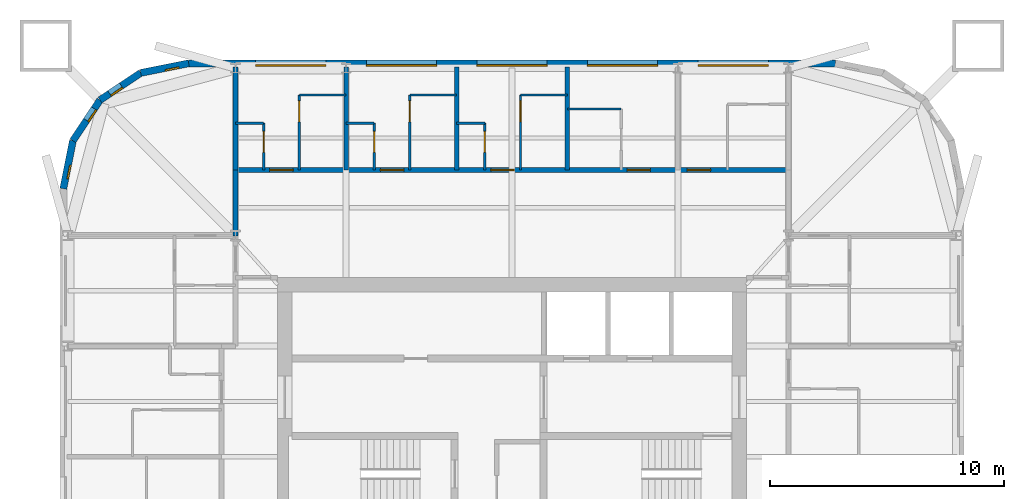
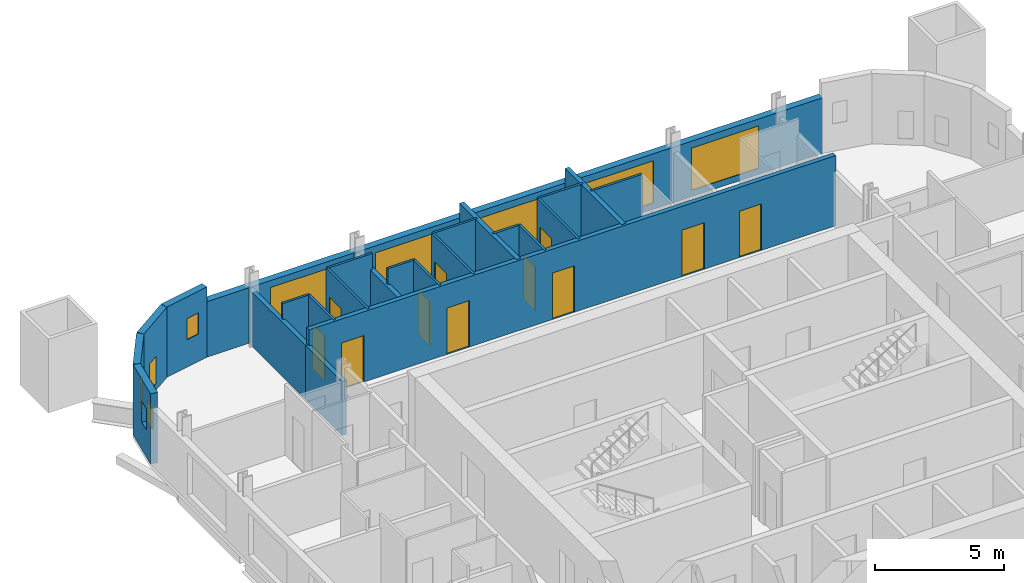
# One storey, part 7 of 9: 24 walls, 11 doors, 9 windows, 20 openings.
"""IFC4 building model written with IfcOpenShell, lengths in metres."""

from ifc_helpers import new_model, si_unit, direction, frame, frame_2d, origin, place, context, subcontext, project, spatial, rectangle, extrude, material, layer, layer_set, type_object, element, fill, save


model = new_model("IFC4")

# Units and contexts
model_context = context("Model", 3, precision=1e-05, world=origin(), true_north=direction((0.0, 1.0)))
body_context = subcontext(model_context, "Body", "Model", "MODEL_VIEW")
ifc_project = project(units=[si_unit("LENGTHUNIT", "METRE"), si_unit("AREAUNIT", "SQUARE_METRE"), si_unit("VOLUMEUNIT", "CUBIC_METRE"), si_unit("PLANEANGLEUNIT", "RADIAN"), si_unit("MASSUNIT", "GRAM", prefix="KILO")], contexts=[model_context])

# Site, building, storey
site_placement = place(None, origin())
site = spatial("IfcSite", under=ifc_project, at=site_placement, CompositionType="ELEMENT")
building_placement = place(site_placement, origin())
building = spatial("IfcBuilding", under=site, at=building_placement, Name="Turquesa Mirador Hotel Tower", CompositionType="ELEMENT")
storey_placement = place(building_placement, frame((0.0, 0.0, 214.300048828125)))
storey = spatial("IfcBuildingStorey", under=building, at=storey_placement, Name="L58", CompositionType="ELEMENT", Elevation=214.300048828125)

# Walls
ifc_material_1 = material(Name="Gypsum board on steel studs", Category="steel")
ifc_layer_1 = layer(ifc_material_1, 0.10009765625)
ifc_layer_set_1 = layer_set([ifc_layer_1], Name="BATHROOM WALL 100")
wall_type_1 = type_object("IfcWallType", Name="BATHROOM WALL 100", PredefinedType="PARTITIONING", material=ifc_layer_set_1)
wall_1_placement = place(storey_placement, frame((43.199951171875, 61.60009765625, 0.0), z_axis=(0.0, 0.0, 1.0), x_axis=(1.0, 0.0, 0.0)))
element("IfcWall", 1, at=wall_1_placement, inside=storey, type_object=wall_type_1, Name="Partition L58 033", PredefinedType="PARTITIONING", context=body_context, shape_type="SweptSolid", body=[
    extrude(rectangle(XDim=1.199951171875, YDim=0.10009765625, at=frame_2d((0.60009765625, 0.0))), origin(), (0.0, 0.0, 1.0), 3.329833984375),
])
for number, where, z_axis, x_axis, name in (
    (2, (47.919921875, 61.60009765625, 0.0), (0.0, 0.0, 1.0), (1.0, 0.0, 0.0), "Partition L58 034"),
    (3, (52.639892578125, 61.60009765625, 0.0), (0.0, 0.0, 1.0), (1.0, 0.0, 0.0), "Partition L58 035"),
):
    element("IfcWall", number, at=place(storey_placement, frame(where, z_axis=z_axis, x_axis=x_axis)), inside=storey, type_object=wall_type_1, Name=name, PredefinedType="PARTITIONING", context=body_context, shape_type="SweptSolid", body=[
        extrude(rectangle(XDim=1.2001953125, YDim=0.10009765625, at=frame_2d((0.60009765625, 0.0))), origin(), (0.0, 0.0, 1.0), 3.329833984375),
    ])
wall_2_placement = place(storey_placement, frame((57.360107421875, 62.199951171875, 0.0), z_axis=(0.0, 0.0, 1.0), x_axis=(1.0, 0.0, 0.0)))
element("IfcWall", 4, at=wall_2_placement, inside=storey, type_object=wall_type_1, Name="Partition L58 036", PredefinedType="PARTITIONING", context=body_context, shape_type="SweptSolid", body=[
    extrude(rectangle(XDim=2.2998046875, YDim=0.10009765625, at=frame_2d((1.14990234375, 0.0))), origin(), (0.0, 0.0, 1.0), 3.329833984375),
])
for number, where, z_axis, x_axis, name in (
    (5, (45.919921875, 62.800048828125, 0.0), (0.0, 0.0, 1.0), (1.0, 0.0, 0.0), "Partition L58 038"),
    (6, (50.639892578125, 62.800048828125, 0.0), (0.0, 0.0, 1.0), (1.0, 0.0, 0.0), "Partition L58 039"),
    (7, (55.360107421875, 62.800048828125, 0.0), (0.0, 0.0, 1.0), (1.0, 0.0, 0.0), "Partition L58 040"),
):
    element("IfcWall", number, at=place(storey_placement, frame(where, z_axis=z_axis, x_axis=x_axis)), inside=storey, type_object=wall_type_1, Name=name, PredefinedType="PARTITIONING", context=body_context, shape_type="SweptSolid", body=[
        extrude(rectangle(XDim=2.0, YDim=0.10009765625, at=frame_2d((1.0, 0.0))), origin(), (0.0, 0.0, 1.0), 3.329833984375),
    ])

# Wall, opening, door
wall_3_placement = place(storey_placement, frame((53.840087890625, 59.60009765625, 0.0), z_axis=(0.0, 0.0, 1.0), x_axis=(0.0, 1.0, 0.0)))
wall_3 = element("IfcWall", 8, at=wall_3_placement, inside=storey, type_object=wall_type_1, Name="Partition L58 054", PredefinedType="PARTITIONING", context=body_context, shape_type="SweptSolid", body=[
    extrude(rectangle(XDim=2.0, YDim=0.10009765625, at=frame_2d((1.0, 0.0))), origin(), (0.0, 0.0, 1.0), 3.329833984375),
])
opening_1_placement = place(wall_3_placement, frame((0.75, 0.0, 0.0)))
opening_1 = element("IfcOpeningElement", 9, at=opening_1_placement, cuts=wall_3, Name="Opening D06", PredefinedType="OPENING", context=body_context, shape_type="SweptSolid", body=[
    extrude(rectangle(XDim=0.89990234375, YDim=2.10009765625, at=frame_2d((0.449951171875, 1.050048828125))), frame((0.0, 0.06005859375, 0.0), z_axis=(0.0, -1.0, 0.0), x_axis=(1.0, 0.0, 0.0)), (0.0, 0.0, 1.0), 0.1201171875),
])
ifc_material_2 = material(Name="Laminate door", Category="wood")
door_type_1 = type_object("IfcDoorType", Name="DOOR 900X2100 WC", OperationType="SINGLE_SWING_LEFT", PredefinedType="DOOR", material=ifc_material_2)
door_1_placement = place(opening_1_placement, origin())
door_1 = element("IfcDoor", 10, at=door_1_placement, inside=storey, type_object=door_type_1, Name="Door 5803W", OperationType="SINGLE_SWING_LEFT", OverallHeight=2.10009765625, OverallWidth=0.89990234375, PredefinedType="DOOR", context=body_context, shape_type="SweptSolid", body=[
    extrude(rectangle(XDim=0.89990234375, YDim=2.10009765625, at=frame_2d((0.449951171875, 1.050048828125))), frame((0.0, 0.02490234375, 0.0), z_axis=(0.0, -1.0, 0.0), x_axis=(1.0, 0.0, 0.0)), (0.0, 0.0, 1.0), 0.050048828125),
])
fill(opening_1, door_1)

wall_4_placement = place(storey_placement, frame((44.39990234375, 59.60009765625, 0.0), z_axis=(0.0, 0.0, 1.0), x_axis=(0.0, 1.0, 0.0)))
wall_4 = element("IfcWall", 11, at=wall_4_placement, inside=storey, type_object=wall_type_1, Name="Partition L58 055", PredefinedType="PARTITIONING", context=body_context, shape_type="SweptSolid", body=[
    extrude(rectangle(XDim=2.0, YDim=0.10009765625, at=frame_2d((1.0, 0.0))), origin(), (0.0, 0.0, 1.0), 3.329833984375),
])
opening_2_placement = place(wall_4_placement, frame((0.75, 0.0, 0.0)))
opening_2 = element("IfcOpeningElement", 12, at=opening_2_placement, cuts=wall_4, Name="Opening D06", PredefinedType="OPENING", context=body_context, shape_type="SweptSolid", body=[
    extrude(rectangle(XDim=0.89990234375, YDim=2.10009765625, at=frame_2d((0.449951171875, 1.050048828125))), frame((0.0, 0.06005859375, 0.0), z_axis=(0.0, -1.0, 0.0), x_axis=(1.0, 0.0, 0.0)), (0.0, 0.0, 1.0), 0.1201171875),
])
door_2_placement = place(opening_2_placement, origin())
door_2 = element("IfcDoor", 13, at=door_2_placement, inside=storey, type_object=door_type_1, Name="Door 5801W", OperationType="SINGLE_SWING_LEFT", OverallHeight=2.10009765625, OverallWidth=0.89990234375, PredefinedType="DOOR", context=body_context, shape_type="SweptSolid", body=[
    extrude(rectangle(XDim=0.89990234375, YDim=2.10009765625, at=frame_2d((0.449951171875, 1.050048828125))), frame((0.0, 0.02490234375, 0.0), z_axis=(0.0, -1.0, 0.0), x_axis=(1.0, 0.0, 0.0)), (0.0, 0.0, 1.0), 0.050048828125),
])
fill(opening_2, door_2)

wall_5_placement = place(storey_placement, frame((50.639892578125, 59.60009765625, 0.0), z_axis=(0.0, 0.0, 1.0), x_axis=(0.0, 1.0, 0.0)))
wall_5 = element("IfcWall", 14, at=wall_5_placement, inside=storey, type_object=wall_type_1, Name="Partition L58 073", PredefinedType="PARTITIONING", context=body_context, shape_type="SweptSolid", body=[
    extrude(rectangle(XDim=3.199951171875, YDim=0.10009765625, at=frame_2d((1.60009765625, 0.0))), origin(), (0.0, 0.0, 1.0), 3.329833984375),
])
opening_3_placement = place(wall_5_placement, frame((2.050048828125, 0.0, 0.0)))
opening_3 = element("IfcOpeningElement", 15, at=opening_3_placement, cuts=wall_5, Name="Opening D02", PredefinedType="OPENING", context=body_context, shape_type="SweptSolid", body=[
    extrude(rectangle(XDim=0.89990234375, YDim=2.10009765625, at=frame_2d((0.449951171875, 1.050048828125))), frame((0.0, 0.06005859375, 0.0), z_axis=(0.0, -1.0, 0.0), x_axis=(1.0, 0.0, 0.0)), (0.0, 0.0, 1.0), 0.1201171875),
])
ifc_material_3 = material(Name="Timber veneered door", Category="wood")
door_type_2 = type_object("IfcDoorType", Name="DOOR 900X2100 EN-SUITE", OperationType="SINGLE_SWING_RIGHT", PredefinedType="DOOR", material=ifc_material_3)
door_3_placement = place(opening_3_placement, origin())
door_3 = element("IfcDoor", 16, at=door_3_placement, inside=storey, type_object=door_type_2, Name="Door 5802B", OperationType="SINGLE_SWING_RIGHT", OverallHeight=2.10009765625, OverallWidth=0.89990234375, PredefinedType="DOOR", context=body_context, shape_type="SweptSolid", body=[
    extrude(rectangle(XDim=0.89990234375, YDim=2.10009765625, at=frame_2d((0.449951171875, 1.050048828125))), frame((0.0, 0.02490234375, 0.0), z_axis=(0.0, -1.0, 0.0), x_axis=(1.0, 0.0, 0.0)), (0.0, 0.0, 1.0), 0.050048828125),
])
fill(opening_3, door_3)

wall_6_placement = place(storey_placement, frame((49.1201171875, 59.60009765625, 0.0), z_axis=(0.0, 0.0, 1.0), x_axis=(0.0, 1.0, 0.0)))
wall_6 = element("IfcWall", 17, at=wall_6_placement, inside=storey, type_object=wall_type_1, Name="Partition L58 075", PredefinedType="PARTITIONING", context=body_context, shape_type="SweptSolid", body=[
    extrude(rectangle(XDim=2.0, YDim=0.10009765625, at=frame_2d((1.0, 0.0))), origin(), (0.0, 0.0, 1.0), 3.329833984375),
])
opening_4_placement = place(wall_6_placement, frame((0.75, 0.0, 0.0)))
opening_4 = element("IfcOpeningElement", 18, at=opening_4_placement, cuts=wall_6, Name="Opening D06", PredefinedType="OPENING", context=body_context, shape_type="SweptSolid", body=[
    extrude(rectangle(XDim=0.89990234375, YDim=2.10009765625, at=frame_2d((0.449951171875, 1.050048828125))), frame((0.0, 0.06005859375, 0.0), z_axis=(0.0, -1.0, 0.0), x_axis=(1.0, 0.0, 0.0)), (0.0, 0.0, 1.0), 0.1201171875),
])
door_4_placement = place(opening_4_placement, origin())
door_4 = element("IfcDoor", 19, at=door_4_placement, inside=storey, type_object=door_type_1, Name="Door 5802W", OperationType="SINGLE_SWING_LEFT", OverallHeight=2.10009765625, OverallWidth=0.89990234375, PredefinedType="DOOR", context=body_context, shape_type="SweptSolid", body=[
    extrude(rectangle(XDim=0.89990234375, YDim=2.10009765625, at=frame_2d((0.449951171875, 1.050048828125))), frame((0.0, 0.02490234375, 0.0), z_axis=(0.0, -1.0, 0.0), x_axis=(1.0, 0.0, 0.0)), (0.0, 0.0, 1.0), 0.050048828125),
])
fill(opening_4, door_4)

wall_7_placement = place(storey_placement, frame((45.919921875, 59.60009765625, 0.0), z_axis=(0.0, 0.0, 1.0), x_axis=(0.0, 1.0, 0.0)))
wall_7 = element("IfcWall", 20, at=wall_7_placement, inside=storey, type_object=wall_type_1, Name="Partition L58 078", PredefinedType="PARTITIONING", context=body_context, shape_type="SweptSolid", body=[
    extrude(rectangle(XDim=3.199951171875, YDim=0.10009765625, at=frame_2d((1.60009765625, 0.0))), origin(), (0.0, 0.0, 1.0), 3.329833984375),
])
opening_5_placement = place(wall_7_placement, frame((2.050048828125, 0.0, 0.0)))
opening_5 = element("IfcOpeningElement", 21, at=opening_5_placement, cuts=wall_7, Name="Opening D02", PredefinedType="OPENING", context=body_context, shape_type="SweptSolid", body=[
    extrude(rectangle(XDim=0.89990234375, YDim=2.10009765625, at=frame_2d((0.449951171875, 1.050048828125))), frame((0.0, 0.06005859375, 0.0), z_axis=(0.0, -1.0, 0.0), x_axis=(1.0, 0.0, 0.0)), (0.0, 0.0, 1.0), 0.1201171875),
])
door_5_placement = place(opening_5_placement, origin())
door_5 = element("IfcDoor", 22, at=door_5_placement, inside=storey, type_object=door_type_2, Name="Door 5801B", OperationType="SINGLE_SWING_RIGHT", OverallHeight=2.10009765625, OverallWidth=0.89990234375, PredefinedType="DOOR", context=body_context, shape_type="SweptSolid", body=[
    extrude(rectangle(XDim=0.89990234375, YDim=2.10009765625, at=frame_2d((0.449951171875, 1.050048828125))), frame((0.0, 0.02490234375, 0.0), z_axis=(0.0, -1.0, 0.0), x_axis=(1.0, 0.0, 0.0)), (0.0, 0.0, 1.0), 0.050048828125),
])
fill(opening_5, door_5)

wall_8_placement = place(storey_placement, frame((55.360107421875, 59.60009765625, 0.0), z_axis=(0.0, 0.0, 1.0), x_axis=(0.0, 1.0, 0.0)))
wall_8 = element("IfcWall", 23, at=wall_8_placement, inside=storey, type_object=wall_type_1, Name="Partition L58 080", PredefinedType="PARTITIONING", context=body_context, shape_type="SweptSolid", body=[
    extrude(rectangle(XDim=3.199951171875, YDim=0.10009765625, at=frame_2d((1.60009765625, 0.0))), origin(), (0.0, 0.0, 1.0), 3.329833984375),
])
opening_6_placement = place(wall_8_placement, frame((2.050048828125, 0.0, 0.0)))
opening_6 = element("IfcOpeningElement", 24, at=opening_6_placement, cuts=wall_8, Name="Opening D02", PredefinedType="OPENING", context=body_context, shape_type="SweptSolid", body=[
    extrude(rectangle(XDim=0.89990234375, YDim=2.10009765625, at=frame_2d((0.449951171875, 1.050048828125))), frame((0.0, 0.06005859375, 0.0), z_axis=(0.0, -1.0, 0.0), x_axis=(1.0, 0.0, 0.0)), (0.0, 0.0, 1.0), 0.1201171875),
])
door_6_placement = place(opening_6_placement, origin())
door_6 = element("IfcDoor", 25, at=door_6_placement, inside=storey, type_object=door_type_2, Name="Door 5803B", OperationType="SINGLE_SWING_RIGHT", OverallHeight=2.10009765625, OverallWidth=0.89990234375, PredefinedType="DOOR", context=body_context, shape_type="SweptSolid", body=[
    extrude(rectangle(XDim=0.89990234375, YDim=2.10009765625, at=frame_2d((0.449951171875, 1.050048828125))), frame((0.0, 0.02490234375, 0.0), z_axis=(0.0, -1.0, 0.0), x_axis=(1.0, 0.0, 0.0)), (0.0, 0.0, 1.0), 0.050048828125),
])
fill(opening_6, door_6)

# Wall, openings, doors
ifc_material_4 = material(Name="Fire-rated gypsum board on steel studs", Category="steel")
ifc_layer_2 = layer(ifc_material_4, 0.199951171875)
ifc_layer_set_2 = layer_set([ifc_layer_2], Name="CORRIDOR WALL 200")
wall_type_2 = type_object("IfcWallType", Name="CORRIDOR WALL 200", PredefinedType="PARTITIONING", material=ifc_layer_set_2)
wall_9_placement = place(storey_placement, frame((43.199951171875, 59.60009765625, 0.0), z_axis=(0.0, 0.0, 1.0), x_axis=(1.0, 0.0, 0.0)))
wall_9 = element("IfcWall", 26, at=wall_9_placement, inside=storey, type_object=wall_type_2, Name="Partition L58 032", PredefinedType="PARTITIONING", context=body_context, shape_type="SweptSolid", body=[
    extrude(rectangle(XDim=23.60009765625, YDim=0.199951171875, at=frame_2d((11.800048828125, 0.0))), origin(), (0.0, 0.0, 1.0), 3.329833984375),
])
opening_7_placement = place(wall_9_placement, frame((1.4599609375, 0.0, 0.0)))
opening_7 = element("IfcOpeningElement", 27, at=opening_7_placement, cuts=wall_9, Name="Opening D01", PredefinedType="OPENING", context=body_context, shape_type="SweptSolid", body=[
    extrude(rectangle(XDim=1.0, YDim=2.199951171875, at=frame_2d((0.5, 1.10009765625))), frame((0.0, 0.10986328125, 0.0), z_axis=(0.0, -1.0, 0.0), x_axis=(1.0, 0.0, 0.0)), (0.0, 0.0, 1.0), 0.219970703125),
])
opening_8_placement = place(wall_9_placement, frame((6.179931640625, 0.0, 0.0)))
opening_8 = element("IfcOpeningElement", 28, at=opening_8_placement, cuts=wall_9, Name="Opening D01", PredefinedType="OPENING", context=body_context, shape_type="SweptSolid", body=[
    extrude(rectangle(XDim=1.0, YDim=2.199951171875, at=frame_2d((0.5, 1.10009765625))), frame((0.0, 0.10986328125, 0.0), z_axis=(0.0, -1.0, 0.0), x_axis=(1.0, 0.0, 0.0)), (0.0, 0.0, 1.0), 0.219970703125),
])
opening_9_placement = place(wall_9_placement, frame((10.89990234375, 0.0, 0.0)))
opening_9 = element("IfcOpeningElement", 29, at=opening_9_placement, cuts=wall_9, Name="Opening D01", PredefinedType="OPENING", context=body_context, shape_type="SweptSolid", body=[
    extrude(rectangle(XDim=1.0, YDim=2.199951171875, at=frame_2d((0.5, 1.10009765625))), frame((0.0, 0.10986328125, 0.0), z_axis=(0.0, -1.0, 0.0), x_axis=(1.0, 0.0, 0.0)), (0.0, 0.0, 1.0), 0.219970703125),
])
opening_10_placement = place(wall_9_placement, frame((16.7099609375, 0.0, 0.0)))
opening_10 = element("IfcOpeningElement", 30, at=opening_10_placement, cuts=wall_9, Name="Opening D01", PredefinedType="OPENING", context=body_context, shape_type="SweptSolid", body=[
    extrude(rectangle(XDim=1.0, YDim=2.199951171875, at=frame_2d((0.5, 1.10009765625))), frame((0.0, 0.10986328125, 0.0), z_axis=(0.0, -1.0, 0.0), x_axis=(1.0, 0.0, 0.0)), (0.0, 0.0, 1.0), 0.219970703125),
])
opening_11_placement = place(wall_9_placement, frame((19.280029296875, 0.0, 0.0)))
opening_11 = element("IfcOpeningElement", 31, at=opening_11_placement, cuts=wall_9, Name="Opening D01", PredefinedType="OPENING", context=body_context, shape_type="SweptSolid", body=[
    extrude(rectangle(XDim=1.0, YDim=2.199951171875, at=frame_2d((0.5, 1.10009765625))), frame((0.0, 0.10986328125, 0.0), z_axis=(0.0, -1.0, 0.0), x_axis=(1.0, 0.0, 0.0)), (0.0, 0.0, 1.0), 0.219970703125),
])
ifc_material_5 = material(Name="Timber veneered fire door", Category="wood")
door_type_3 = type_object("IfcDoorType", Name="DOOR 1000X2200 GUEST ENTRY", OperationType="SINGLE_SWING_LEFT", PredefinedType="DOOR", material=ifc_material_5)
door_7_placement = place(opening_7_placement, origin())
door_7 = element("IfcDoor", 32, at=door_7_placement, inside=storey, type_object=door_type_3, Name="Door 5801", OperationType="SINGLE_SWING_LEFT", OverallHeight=2.199951171875, OverallWidth=1.0, PredefinedType="DOOR", context=body_context, shape_type="SweptSolid", body=[
    extrude(rectangle(XDim=1.0, YDim=2.199951171875, at=frame_2d((0.5, 1.10009765625))), frame((0.0, 0.02490234375, 0.0), z_axis=(0.0, -1.0, 0.0), x_axis=(1.0, 0.0, 0.0)), (0.0, 0.0, 1.0), 0.050048828125),
])
fill(opening_7, door_7)
door_8_placement = place(opening_8_placement, origin())
door_8 = element("IfcDoor", 33, at=door_8_placement, inside=storey, type_object=door_type_3, Name="Door 5802", OperationType="SINGLE_SWING_LEFT", OverallHeight=2.199951171875, OverallWidth=1.0, PredefinedType="DOOR", context=body_context, shape_type="SweptSolid", body=[
    extrude(rectangle(XDim=1.0, YDim=2.199951171875, at=frame_2d((0.5, 1.10009765625))), frame((0.0, 0.02490234375, 0.0), z_axis=(0.0, -1.0, 0.0), x_axis=(1.0, 0.0, 0.0)), (0.0, 0.0, 1.0), 0.050048828125),
])
fill(opening_8, door_8)
door_9_placement = place(opening_9_placement, origin())
door_9 = element("IfcDoor", 34, at=door_9_placement, inside=storey, type_object=door_type_3, Name="Door 5803", OperationType="SINGLE_SWING_LEFT", OverallHeight=2.199951171875, OverallWidth=1.0, PredefinedType="DOOR", context=body_context, shape_type="SweptSolid", body=[
    extrude(rectangle(XDim=1.0, YDim=2.199951171875, at=frame_2d((0.5, 1.10009765625))), frame((0.0, 0.02490234375, 0.0), z_axis=(0.0, -1.0, 0.0), x_axis=(1.0, 0.0, 0.0)), (0.0, 0.0, 1.0), 0.050048828125),
])
fill(opening_9, door_9)
door_10_placement = place(opening_10_placement, origin())
door_10 = element("IfcDoor", 35, at=door_10_placement, inside=storey, type_object=door_type_3, Name="Door 5804", OperationType="SINGLE_SWING_LEFT", OverallHeight=2.199951171875, OverallWidth=1.0, PredefinedType="DOOR", context=body_context, shape_type="SweptSolid", body=[
    extrude(rectangle(XDim=1.0, YDim=2.199951171875, at=frame_2d((0.5, 1.10009765625))), frame((0.0, 0.02490234375, 0.0), z_axis=(0.0, -1.0, 0.0), x_axis=(1.0, 0.0, 0.0)), (0.0, 0.0, 1.0), 0.050048828125),
])
fill(opening_10, door_10)
door_11_placement = place(opening_11_placement, origin())
door_11 = element("IfcDoor", 36, at=door_11_placement, inside=storey, type_object=door_type_3, Name="Door 5805", OperationType="SINGLE_SWING_LEFT", OverallHeight=2.199951171875, OverallWidth=1.0, PredefinedType="DOOR", context=body_context, shape_type="SweptSolid", body=[
    extrude(rectangle(XDim=1.0, YDim=2.199951171875, at=frame_2d((0.5, 1.10009765625))), frame((0.0, 0.02490234375, 0.0), z_axis=(0.0, -1.0, 0.0), x_axis=(1.0, 0.0, 0.0)), (0.0, 0.0, 1.0), 0.050048828125),
])
fill(opening_11, door_11)

# Wall
wall_10_placement = place(storey_placement, frame((43.199951171875, 56.780029296875, 0.0), z_axis=(0.0, 0.0, 1.0), x_axis=(0.0, 1.0, 0.0)))
element("IfcWall", 37, at=wall_10_placement, inside=storey, type_object=wall_type_2, Name="Partition L58 102", PredefinedType="PARTITIONING", context=body_context, shape_type="SweptSolid", body=[
    extrude(rectangle(XDim=2.820068359375, YDim=0.199951171875, at=frame_2d((1.41015625, 0.0))), origin(), (0.0, 0.0, 1.0), 2.572998046875),
])

# Wall, openings, windows
ifc_material_6 = material(Name="Limestone cladding on concrete block", Category="masonry")
ifc_layer_3 = layer(ifc_material_6, 0.300048828125)
ifc_layer_set_3 = layer_set([ifc_layer_3], Name="FACADE WALL 300 STONE SCREEN")
wall_type_3 = type_object("IfcWallType", Name="FACADE WALL 300 STONE SCREEN", PredefinedType="SOLIDWALL", material=ifc_layer_set_3)
wall_11_placement = place(storey_placement, frame((68.800048828125, 64.14990234375, 0.0), z_axis=(0.0, 0.0, 1.0), x_axis=(-1.0, 0.0, 0.0)))
wall_11 = element("IfcWall", 38, at=wall_11_placement, inside=storey, type_object=wall_type_3, Name="Facade wall L58 09", PredefinedType="SOLIDWALL", context=body_context, shape_type="SweptSolid", body=[
    extrude(rectangle(XDim=27.60009765625, YDim=0.300048828125, at=frame_2d((13.800048828125, 0.0))), origin(), (0.0, 0.0, 1.0), 2.6298828125),
])
opening_12_placement = place(wall_11_placement, frame((2.860107421875, 0.0, 0.300048828125)))
opening_12 = element("IfcOpeningElement", 39, at=opening_12_placement, cuts=wall_11, Name="Opening WN1", PredefinedType="OPENING", context=body_context, shape_type="SweptSolid", body=[
    extrude(rectangle(XDim=3.0, YDim=2.0, at=frame_2d((1.5, 1.0))), frame((0.0, 0.159912109375, 0.0), z_axis=(0.0, -1.0, 0.0), x_axis=(1.0, 0.0, 0.0)), (0.0, 0.0, 1.0), 0.320068359375),
])
opening_13_placement = place(wall_11_placement, frame((7.580078125, 0.0, 0.300048828125)))
opening_13 = element("IfcOpeningElement", 40, at=opening_13_placement, cuts=wall_11, Name="Opening WN1", PredefinedType="OPENING", context=body_context, shape_type="SweptSolid", body=[
    extrude(rectangle(XDim=3.0, YDim=2.0, at=frame_2d((1.5, 1.0))), frame((0.0, 0.159912109375, 0.0), z_axis=(0.0, -1.0, 0.0), x_axis=(1.0, 0.0, 0.0)), (0.0, 0.0, 1.0), 0.320068359375),
])
opening_14_placement = place(wall_11_placement, frame((12.300048828125, 0.0, 0.300048828125)))
opening_14 = element("IfcOpeningElement", 41, at=opening_14_placement, cuts=wall_11, Name="Opening WN1", PredefinedType="OPENING", context=body_context, shape_type="SweptSolid", body=[
    extrude(rectangle(XDim=3.0, YDim=2.0, at=frame_2d((1.5, 1.0))), frame((0.0, 0.159912109375, 0.0), z_axis=(0.0, -1.0, 0.0), x_axis=(1.0, 0.0, 0.0)), (0.0, 0.0, 1.0), 0.320068359375),
])
opening_15_placement = place(wall_11_placement, frame((17.02001953125, 0.0, 0.300048828125)))
opening_15 = element("IfcOpeningElement", 42, at=opening_15_placement, cuts=wall_11, Name="Opening WN1", PredefinedType="OPENING", context=body_context, shape_type="SweptSolid", body=[
    extrude(rectangle(XDim=3.0, YDim=2.0, at=frame_2d((1.5, 1.0))), frame((0.0, 0.159912109375, 0.0), z_axis=(0.0, -1.0, 0.0), x_axis=(1.0, 0.0, 0.0)), (0.0, 0.0, 1.0), 0.320068359375),
])
opening_16_placement = place(wall_11_placement, frame((21.739990234375, 0.0, 0.300048828125)))
opening_16 = element("IfcOpeningElement", 43, at=opening_16_placement, cuts=wall_11, Name="Opening WN1", PredefinedType="OPENING", context=body_context, shape_type="SweptSolid", body=[
    extrude(rectangle(XDim=3.0, YDim=2.0, at=frame_2d((1.5, 1.0))), frame((0.0, 0.159912109375, 0.0), z_axis=(0.0, -1.0, 0.0), x_axis=(1.0, 0.0, 0.0)), (0.0, 0.0, 1.0), 0.320068359375),
])
ifc_material_7 = material(Name="Ceramic-fritted laminated glass", Category="glass")
window_type_1 = type_object("IfcWindowType", Name="FRITTED WINDOW 3000X2000", PartitioningType="DOUBLE_PANEL_HORIZONTAL", PredefinedType="WINDOW", material=ifc_material_7)
window_1_placement = place(opening_12_placement, origin())
window_1 = element("IfcWindow", 44, at=window_1_placement, inside=storey, type_object=window_type_1, Name="Window L58", OverallHeight=2.0, OverallWidth=3.0, PartitioningType="SINGLE_PANEL", PredefinedType="WINDOW", context=body_context, shape_type="SweptSolid", body=[
    extrude(rectangle(XDim=3.0, YDim=2.0, at=frame_2d((1.5, 1.0))), frame((0.0, 0.130126953125, 0.0), z_axis=(0.0, -1.0, 0.0), x_axis=(1.0, 0.0, 0.0)), (0.0, 0.0, 1.0), 0.06005859375),
])
fill(opening_12, window_1)
window_2_placement = place(opening_13_placement, origin())
window_2 = element("IfcWindow", 45, at=window_2_placement, inside=storey, type_object=window_type_1, Name="Window L58", OverallHeight=2.0, OverallWidth=3.0, PartitioningType="SINGLE_PANEL", PredefinedType="WINDOW", context=body_context, shape_type="SweptSolid", body=[
    extrude(rectangle(XDim=3.0, YDim=2.0, at=frame_2d((1.5, 1.0))), frame((0.0, 0.130126953125, 0.0), z_axis=(0.0, -1.0, 0.0), x_axis=(1.0, 0.0, 0.0)), (0.0, 0.0, 1.0), 0.06005859375),
])
fill(opening_13, window_2)
window_3_placement = place(opening_14_placement, origin())
window_3 = element("IfcWindow", 46, at=window_3_placement, inside=storey, type_object=window_type_1, Name="Window L58", OverallHeight=2.0, OverallWidth=3.0, PartitioningType="SINGLE_PANEL", PredefinedType="WINDOW", context=body_context, shape_type="SweptSolid", body=[
    extrude(rectangle(XDim=3.0, YDim=2.0, at=frame_2d((1.5, 1.0))), frame((0.0, 0.130126953125, 0.0), z_axis=(0.0, -1.0, 0.0), x_axis=(1.0, 0.0, 0.0)), (0.0, 0.0, 1.0), 0.06005859375),
])
fill(opening_14, window_3)
window_4_placement = place(opening_15_placement, origin())
window_4 = element("IfcWindow", 47, at=window_4_placement, inside=storey, type_object=window_type_1, Name="Window L58", OverallHeight=2.0, OverallWidth=3.0, PartitioningType="SINGLE_PANEL", PredefinedType="WINDOW", context=body_context, shape_type="SweptSolid", body=[
    extrude(rectangle(XDim=3.0, YDim=2.0, at=frame_2d((1.5, 1.0))), frame((0.0, 0.130126953125, 0.0), z_axis=(0.0, -1.0, 0.0), x_axis=(1.0, 0.0, 0.0)), (0.0, 0.0, 1.0), 0.06005859375),
])
fill(opening_15, window_4)
window_5_placement = place(opening_16_placement, origin())
window_5 = element("IfcWindow", 48, at=window_5_placement, inside=storey, type_object=window_type_1, Name="Window L58", OverallHeight=2.0, OverallWidth=3.0, PartitioningType="SINGLE_PANEL", PredefinedType="WINDOW", context=body_context, shape_type="SweptSolid", body=[
    extrude(rectangle(XDim=3.0, YDim=2.0, at=frame_2d((1.5, 1.0))), frame((0.0, 0.130126953125, 0.0), z_axis=(0.0, -1.0, 0.0), x_axis=(1.0, 0.0, 0.0)), (0.0, 0.0, 1.0), 0.06005859375),
])
fill(opening_16, window_5)

# Wall, opening, window
wall_12_placement = place(storey_placement, frame((41.199951171875, 64.14990234375, 0.0), z_axis=(0.0, 0.0, 1.0), x_axis=(-0.980787050784, -0.195081421501, 0.0)))
wall_12 = element("IfcWall", 49, at=wall_12_placement, inside=storey, type_object=wall_type_3, Name="Facade wall L58 10", PredefinedType="SOLIDWALL", context=body_context, shape_type="SweptSolid", body=[
    extrude(rectangle(XDim=2.08740234375, YDim=0.300048828125, at=frame_2d((1.043701171875, 0.0))), origin(), (0.0, 0.0, 1.0), 3.329833984375),
])
opening_17_placement = place(wall_12_placement, frame((0.443603515625, 0.0, 1.300048828125)))
opening_17 = element("IfcOpeningElement", 50, at=opening_17_placement, cuts=wall_12, Name="Opening WN11", PredefinedType="OPENING", context=body_context, shape_type="SweptSolid", body=[
    extrude(rectangle(XDim=0.60009765625, YDim=1.0, at=frame_2d((0.300048828125, 0.5))), frame((0.0, 0.159912109375, 0.0), z_axis=(0.0, -1.0, 0.0), x_axis=(1.0, 0.0, 0.0)), (0.0, 0.0, 1.0), 0.320068359375),
])
ifc_material_8 = material(Name="Ceramic-fritted laminated glass", Category="glass")
window_type_2 = type_object("IfcWindowType", Name="FRITTED CORNER WINDOW 600X1000", PartitioningType="DOUBLE_PANEL_HORIZONTAL", PredefinedType="WINDOW", material=ifc_material_8)
window_6_placement = place(opening_17_placement, origin())
window_6 = element("IfcWindow", 51, at=window_6_placement, inside=storey, type_object=window_type_2, Name="Window L58", OverallHeight=1.0, OverallWidth=0.60009765625, PartitioningType="SINGLE_PANEL", PredefinedType="WINDOW", context=body_context, shape_type="SweptSolid", body=[
    extrude(rectangle(XDim=0.60009765625, YDim=1.0, at=frame_2d((0.300048828125, 0.5))), frame((0.0, 0.130126953125, 0.0), z_axis=(0.0, -1.0, 0.0), x_axis=(1.0, 0.0, 0.0)), (0.0, 0.0, 1.0), 0.06005859375),
])
fill(opening_17, window_6)

wall_13_placement = place(storey_placement, frame((39.152587890625, 63.74267578125, 0.0), z_axis=(0.0, 0.0, 1.0), x_axis=(-0.831474039234, -0.555563607591, 0.0)))
wall_13 = element("IfcWall", 52, at=wall_13_placement, inside=storey, type_object=wall_type_3, Name="Facade wall L58 11", PredefinedType="SOLIDWALL", context=body_context, shape_type="SweptSolid", body=[
    extrude(rectangle(XDim=2.08740234375, YDim=0.300048828125, at=frame_2d((1.043701171875, 0.0))), origin(), (0.0, 0.0, 1.0), 3.329833984375),
])
opening_18_placement = place(wall_13_placement, frame((0.99365234375, 0.0, 0.300048828125)))
opening_18 = element("IfcOpeningElement", 53, at=opening_18_placement, cuts=wall_13, Name="Opening WN14", PredefinedType="OPENING", context=body_context, shape_type="SweptSolid", body=[
    extrude(rectangle(XDim=0.60009765625, YDim=1.300048828125, at=frame_2d((0.300048828125, 0.64990234375))), frame((0.0, 0.159912109375, 0.0), z_axis=(0.0, -1.0, 0.0), x_axis=(1.0, 0.0, 0.0)), (0.0, 0.0, 1.0), 0.320068359375),
])
ifc_material_9 = material(Name="Ceramic-fritted laminated glass", Category="glass")
window_type_3 = type_object("IfcWindowType", Name="FRITTED CORNER WINDOW 600X1300", PartitioningType="DOUBLE_PANEL_HORIZONTAL", PredefinedType="WINDOW", material=ifc_material_9)
window_7_placement = place(opening_18_placement, origin())
window_7 = element("IfcWindow", 54, at=window_7_placement, inside=storey, type_object=window_type_3, Name="Window L58", OverallHeight=1.300048828125, OverallWidth=0.60009765625, PartitioningType="SINGLE_PANEL", PredefinedType="WINDOW", context=body_context, shape_type="SweptSolid", body=[
    extrude(rectangle(XDim=0.60009765625, YDim=1.300048828125, at=frame_2d((0.300048828125, 0.64990234375))), frame((0.0, 0.130126953125, 0.0), z_axis=(0.0, -1.0, 0.0), x_axis=(1.0, 0.0, 0.0)), (0.0, 0.0, 1.0), 0.06005859375),
])
fill(opening_18, window_7)

wall_14_placement = place(storey_placement, frame((37.4169921875, 62.5830078125, 0.0), z_axis=(0.0, 0.0, 1.0), x_axis=(-0.555563607591, -0.831474039234, 0.0)))
wall_14 = element("IfcWall", 55, at=wall_14_placement, inside=storey, type_object=wall_type_3, Name="Facade wall L58 12", PredefinedType="SOLIDWALL", context=body_context, shape_type="SweptSolid", body=[
    extrude(rectangle(XDim=2.08740234375, YDim=0.300048828125, at=frame_2d((1.043701171875, 0.0))), origin(), (0.0, 0.0, 1.0), 3.329833984375),
])
opening_19_placement = place(wall_14_placement, frame((0.443603515625, 0.0, 0.300048828125)))
opening_19 = element("IfcOpeningElement", 56, at=opening_19_placement, cuts=wall_14, Name="Opening WN14", PredefinedType="OPENING", context=body_context, shape_type="SweptSolid", body=[
    extrude(rectangle(XDim=0.60009765625, YDim=1.300048828125, at=frame_2d((0.300048828125, 0.64990234375))), frame((0.0, 0.159912109375, 0.0), z_axis=(0.0, -1.0, 0.0), x_axis=(1.0, 0.0, 0.0)), (0.0, 0.0, 1.0), 0.320068359375),
])
window_8_placement = place(opening_19_placement, origin())
window_8 = element("IfcWindow", 57, at=window_8_placement, inside=storey, type_object=window_type_3, Name="Window L58", OverallHeight=1.300048828125, OverallWidth=0.60009765625, PartitioningType="SINGLE_PANEL", PredefinedType="WINDOW", context=body_context, shape_type="SweptSolid", body=[
    extrude(rectangle(XDim=0.60009765625, YDim=1.300048828125, at=frame_2d((0.300048828125, 0.64990234375))), frame((0.0, 0.130126953125, 0.0), z_axis=(0.0, -1.0, 0.0), x_axis=(1.0, 0.0, 0.0)), (0.0, 0.0, 1.0), 0.06005859375),
])
fill(opening_19, window_8)

wall_15_placement = place(storey_placement, frame((36.25732421875, 60.847412109375, 0.0), z_axis=(0.0, 0.0, 1.0), x_axis=(-0.195081421501, -0.980787050784, 0.0)))
wall_15 = element("IfcWall", 58, at=wall_15_placement, inside=storey, type_object=wall_type_3, Name="Facade wall L58 13", PredefinedType="SOLIDWALL", context=body_context, shape_type="SweptSolid", body=[
    extrude(rectangle(XDim=2.08740234375, YDim=0.300048828125, at=frame_2d((1.043701171875, 0.0))), origin(), (0.0, 0.0, 1.0), 3.329833984375),
])
opening_20_placement = place(wall_15_placement, frame((1.043701171875, 0.0, 1.300048828125)))
opening_20 = element("IfcOpeningElement", 59, at=opening_20_placement, cuts=wall_15, Name="Opening WN11", PredefinedType="OPENING", context=body_context, shape_type="SweptSolid", body=[
    extrude(rectangle(XDim=0.60009765625, YDim=1.0, at=frame_2d((0.300048828125, 0.5))), frame((0.0, 0.159912109375, 0.0), z_axis=(0.0, -1.0, 0.0), x_axis=(1.0, 0.0, 0.0)), (0.0, 0.0, 1.0), 0.320068359375),
])
window_9_placement = place(opening_20_placement, origin())
window_9 = element("IfcWindow", 60, at=window_9_placement, inside=storey, type_object=window_type_2, Name="Window L58", OverallHeight=1.0, OverallWidth=0.60009765625, PartitioningType="SINGLE_PANEL", PredefinedType="WINDOW", context=body_context, shape_type="SweptSolid", body=[
    extrude(rectangle(XDim=0.60009765625, YDim=1.0, at=frame_2d((0.300048828125, 0.5))), frame((0.0, 0.130126953125, 0.0), z_axis=(0.0, -1.0, 0.0), x_axis=(1.0, 0.0, 0.0)), (0.0, 0.0, 1.0), 0.06005859375),
])
fill(opening_20, window_9)

# Walls
ifc_material_10 = material(Name="Fire-rated gypsum board on steel studs", Category="steel")
ifc_layer_4 = layer(ifc_material_10, 0.199951171875)
ifc_layer_set_4 = layer_set([ifc_layer_4], Name="PARTY WALL 200")
wall_type_4 = type_object("IfcWallType", Name="PARTY WALL 200", PredefinedType="PARTITIONING", material=ifc_layer_set_4)
wall_16_placement = place(storey_placement, frame((43.199951171875, 59.60009765625, 0.0), z_axis=(0.0, 0.0, 1.0), x_axis=(0.0, 1.0, 0.0)))
element("IfcWall", 61, at=wall_16_placement, inside=storey, type_object=wall_type_4, Name="Partition L58 059", PredefinedType="PARTITIONING", context=body_context, shape_type="SweptSolid", body=[
    extrude(rectangle(XDim=4.39990234375, YDim=0.199951171875, at=frame_2d((2.199951171875, 0.0))), origin(), (0.0, 0.0, 1.0), 2.572998046875),
])
wall_17_placement = place(storey_placement, frame((52.639892578125, 59.60009765625, 0.0), z_axis=(0.0, 0.0, 1.0), x_axis=(0.0, 1.0, 0.0)))
element("IfcWall", 62, at=wall_17_placement, inside=storey, type_object=wall_type_4, Name="Partition L58 071", PredefinedType="PARTITIONING", context=body_context, shape_type="SweptSolid", body=[
    extrude(rectangle(XDim=4.39990234375, YDim=0.199951171875, at=frame_2d((2.199951171875, 0.0))), origin(), (0.0, 0.0, 1.0), 3.329833984375),
])
wall_18_placement = place(storey_placement, frame((47.919921875, 59.60009765625, 0.0), z_axis=(0.0, 0.0, 1.0), x_axis=(0.0, 1.0, 0.0)))
element("IfcWall", 63, at=wall_18_placement, inside=storey, type_object=wall_type_4, Name="Partition L58 077", PredefinedType="PARTITIONING", context=body_context, shape_type="SweptSolid", body=[
    extrude(rectangle(XDim=4.39990234375, YDim=0.199951171875, at=frame_2d((2.199951171875, 0.0))), origin(), (0.0, 0.0, 1.0), 2.572998046875),
])
wall_19_placement = place(storey_placement, frame((57.360107421875, 59.60009765625, 0.0), z_axis=(0.0, 0.0, 1.0), x_axis=(0.0, 1.0, 0.0)))
element("IfcWall", 64, at=wall_19_placement, inside=storey, type_object=wall_type_4, Name="Partition L58 094", PredefinedType="PARTITIONING", context=body_context, shape_type="SweptSolid", body=[
    extrude(rectangle(XDim=4.39990234375, YDim=0.199951171875, at=frame_2d((2.199951171875, 0.0))), origin(), (0.0, 0.0, 1.0), 3.329833984375),
])

save(model, "model.ifc")
